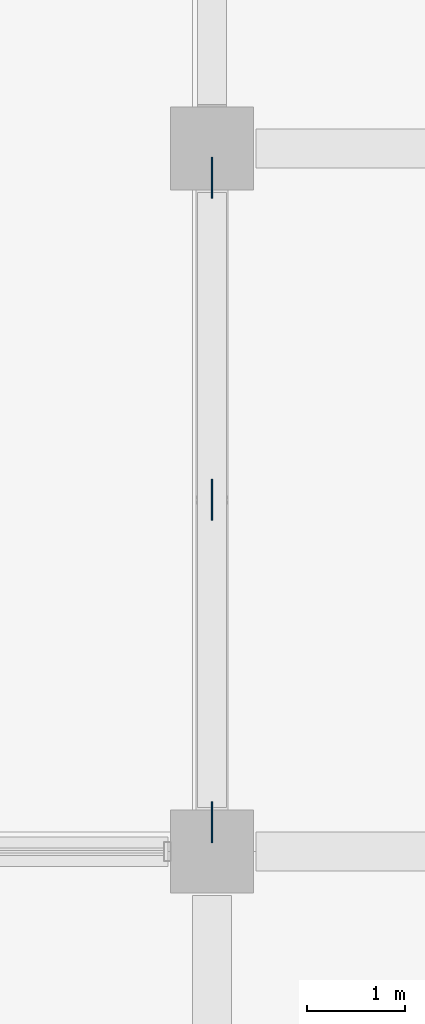
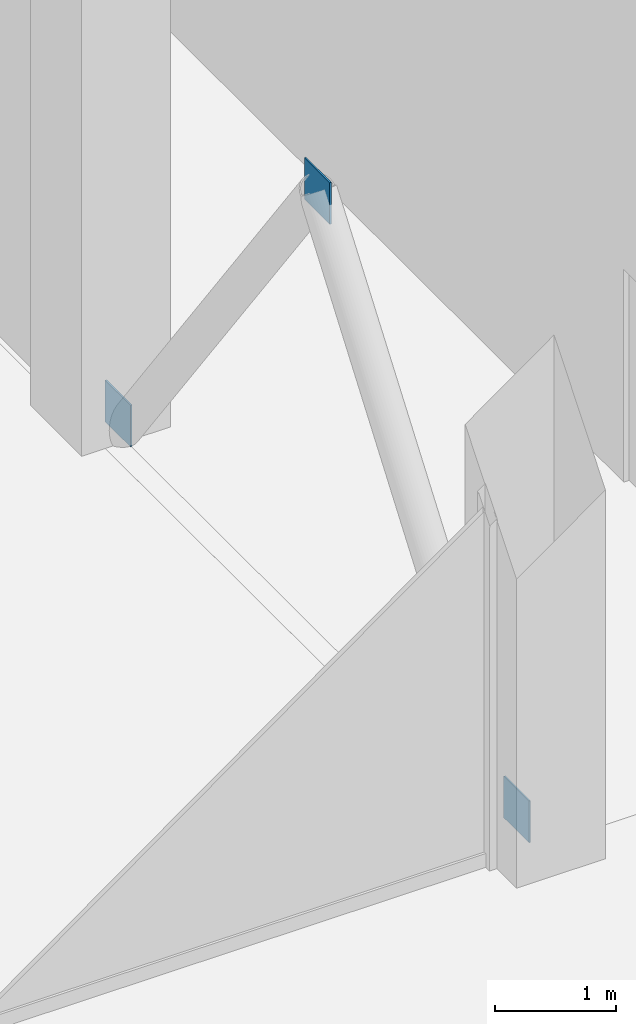
# One storey, part 56 of 90: 3 plates.
"""IFC4 building model written with IfcOpenShell, lengths in metres."""

from ifc_helpers import new_model, si_unit, direction, frame, origin, origin_2d, place, context, subcontext, project, spatial, rectangle, extrude, material, layer, layer_set, type_object, element, save


model = new_model("IFC4")

# Units and contexts
model_context = context("Model", 3, precision=1e-05, world=origin(), true_north=direction((0.0, 1.0)))
body_context = subcontext(model_context, "Body", "Model", "MODEL_VIEW")
ifc_project = project(units=[si_unit("LENGTHUNIT", "METRE"), si_unit("AREAUNIT", "SQUARE_METRE"), si_unit("VOLUMEUNIT", "CUBIC_METRE"), si_unit("PLANEANGLEUNIT", "RADIAN"), si_unit("MASSUNIT", "GRAM", prefix="KILO")], contexts=[model_context])

# Site, building, storey
site_placement = place(None, origin())
site = spatial("IfcSite", under=ifc_project, at=site_placement, CompositionType="ELEMENT")
building_placement = place(site_placement, origin())
building = spatial("IfcBuilding", under=site, at=building_placement, Name="Kangsadwip Square Police Headquarters", CompositionType="ELEMENT")
storey_placement = place(building_placement, origin())
storey = spatial("IfcBuildingStorey", under=building, at=storey_placement, Name="L00", CompositionType="ELEMENT", Elevation=0.0)

# Plates
ifc_material = material(Name="Structural steel IS 2062 E350 (Grade 350, 350 MPa)", Category="steel")
ifc_layer = layer(ifc_material, 0.01611328125)
ifc_layer_set = layer_set([ifc_layer], Name="Structural steel IS 2062 E350 (Grade 350, 350 MPa)")
plate_type = type_object("IfcPlateType", Name="TrussGussetPlate16", PredefinedType="USERDEFINED", material=ifc_layer_set)
for number, where, z_axis, x_axis, name in (
    (1, (144.0, 39.60009765625, 4.25), (0.0, 0.0, 1.0), (0.0, 1.0, 0.0), "Truss Node Gusset Plate GP-L00-0151"),
    (2, (144.0, 36.300048828125, 0.0), (0.0, 0.0, 1.0), (0.0, 1.0, 0.0), "Truss Node Gusset Plate GP-L00-0152"),
    (3, (144.0, 42.89990234375, 0.0), (0.0, 0.0, 1.0), (0.0, 1.0, 0.0), "Truss Node Gusset Plate GP-L00-0153"),
):
    element("IfcPlate", number, at=place(storey_placement, frame(where, z_axis=z_axis, x_axis=x_axis)), inside=storey, type_object=plate_type, Name=name, ObjectType="GUSSET_PLATE", PredefinedType="USERDEFINED", context=body_context, shape_type="SweptSolid", body=[
        extrude(rectangle(XDim=0.419921875, YDim=0.01611328125, at=origin_2d()), origin(), (0.0, 0.0, 1.0), 0.419921875),
    ])

save(model, "model.ifc")
